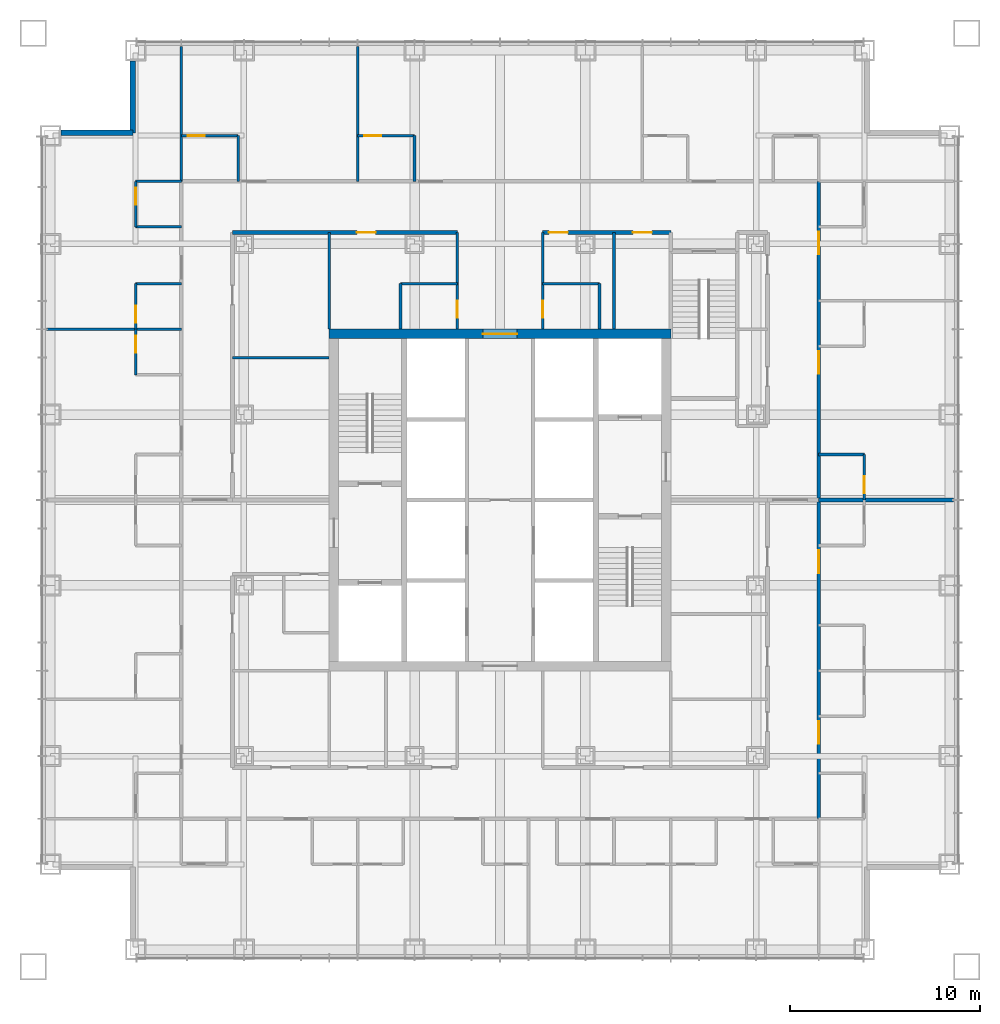
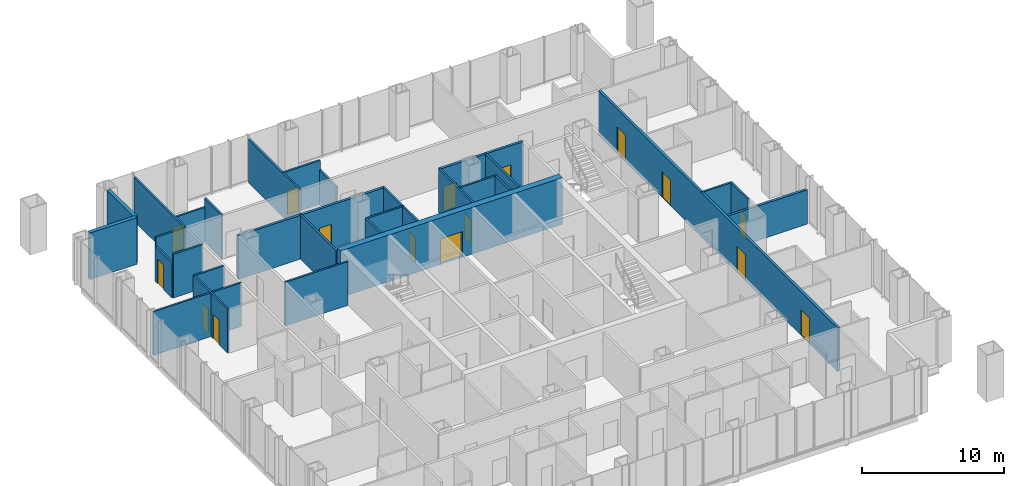
# One storey, part 10 of 12: 31 walls, 16 doors, 16 openings.
"""IFC4 building model written with IfcOpenShell, lengths in metres."""

from ifc_helpers import new_model, si_unit, direction, frame, frame_2d, origin, place, context, subcontext, project, spatial, rectangle, extrude, material, layer, layer_set, type_object, element, fill, save


model = new_model("IFC4")

# Units and contexts
model_context = context("Model", 3, precision=1e-05, world=origin(), true_north=direction((0.0, 1.0)))
body_context = subcontext(model_context, "Body", "Model", "MODEL_VIEW")
ifc_project = project(units=[si_unit("LENGTHUNIT", "METRE"), si_unit("AREAUNIT", "SQUARE_METRE"), si_unit("VOLUMEUNIT", "CUBIC_METRE"), si_unit("PLANEANGLEUNIT", "RADIAN"), si_unit("MASSUNIT", "GRAM", prefix="KILO")], contexts=[model_context])

# Site, building, storey
site_placement = place(None, origin())
site = spatial("IfcSite", under=ifc_project, at=site_placement, CompositionType="ELEMENT")
building_placement = place(site_placement, origin())
building = spatial("IfcBuilding", under=site, at=building_placement, Name="Malebo Sky Hospital", CompositionType="ELEMENT")
storey_placement = place(building_placement, frame((0.0, 0.0, 136.0)))
storey = spatial("IfcBuildingStorey", under=building, at=storey_placement, Name="L32", CompositionType="ELEMENT", Elevation=136.0)

# Wall, opening, door
ifc_material_1 = material(Name="Concrete C80/95", Category="concrete")
ifc_layer_1 = layer(ifc_material_1, 0.5)
ifc_layer_set_1 = layer_set([ifc_layer_1], Name="CORE WALL 500")
wall_type_1 = type_object("IfcWallType", Name="CORE WALL 500", PredefinedType="SHEAR", material=ifc_layer_set_1)
wall_1_placement = place(storey_placement, frame((51.0, 70.75, 0.0), z_axis=(0.0, 0.0, 1.0), x_axis=(1.0, 0.0, 0.0)))
wall_1 = element("IfcWall", 1, at=wall_1_placement, inside=storey, type_object=wall_type_1, Name="Core wall N L32", PredefinedType="SHEAR", context=body_context, shape_type="SweptSolid", body=[
    extrude(rectangle(XDim=18.0, YDim=0.5, at=frame_2d((9.0, 0.0))), origin(), (0.0, 0.0, 1.0), 4.0),
])
opening_1_placement = place(wall_1_placement, frame((8.10009765625, 0.0, 0.0)))
opening_1 = element("IfcOpeningElement", 2, at=opening_1_placement, cuts=wall_1, Name="Opening D06", PredefinedType="OPENING", context=body_context, shape_type="SweptSolid", body=[
    extrude(rectangle(XDim=1.800048828125, YDim=2.199951171875, at=frame_2d((0.89990234375, 1.10009765625))), frame((0.0, 0.260009765625, 0.0), z_axis=(0.0, -1.0, 0.0), x_axis=(1.0, 0.0, 0.0)), (0.0, 0.0, 1.0), 0.52001953125),
])
ifc_material_2 = material(Name="Hardwood-faced door leaf in steel frame", Category="steel")
door_type_1 = type_object("IfcDoorType", Name="LOBBY DOOR PAIR 1800", OperationType="DOUBLE_DOOR_SINGLE_SWING", PredefinedType="DOOR", material=ifc_material_2)
door_1_placement = place(opening_1_placement, origin())
door_1 = element("IfcDoor", 3, at=door_1_placement, inside=storey, type_object=door_type_1, Name="linen store door north", OperationType="DOUBLE_DOOR_SINGLE_SWING", OverallHeight=2.199951171875, OverallWidth=1.800048828125, PredefinedType="DOOR", context=body_context, shape_type="SweptSolid", body=[
    extrude(rectangle(XDim=1.800048828125, YDim=2.199951171875, at=frame_2d((0.89990234375, 1.10009765625))), frame((0.0, 0.02490234375, 0.0), z_axis=(0.0, -1.0, 0.0), x_axis=(1.0, 0.0, 0.0)), (0.0, 0.0, 1.0), 0.050048828125),
])
fill(opening_1, door_1)

ifc_material_3 = material(Name="Gypsum board on steel studs", Category="steel")
ifc_layer_2 = layer(ifc_material_3, 0.199951171875)
ifc_layer_set_2 = layer_set([ifc_layer_2], Name="CORRIDOR WALL 200")
wall_type_2 = type_object("IfcWallType", Name="CORRIDOR WALL 200", PredefinedType="PARTITIONING", material=ifc_layer_set_2)
wall_2_placement = place(storey_placement, frame((45.89990234375, 76.10009765625, 0.0), z_axis=(0.0, 0.0, 1.0), x_axis=(1.0, 0.0, 0.0)))
wall_2 = element("IfcWall", 4, at=wall_2_placement, inside=storey, type_object=wall_type_2, Name="Corridor Wall 200 NCI1", PredefinedType="PARTITIONING", context=body_context, shape_type="SweptSolid", body=[
    extrude(rectangle(XDim=11.85009765625, YDim=0.199951171875, at=frame_2d((5.925048828125, 0.0))), origin(), (0.0, 0.0, 1.0), 3.75),
])
opening_2_placement = place(wall_2_placement, frame((6.550048828125, 0.0, 0.0)))
opening_2 = element("IfcOpeningElement", 5, at=opening_2_placement, cuts=wall_2, Name="Opening D03", PredefinedType="OPENING", context=body_context, shape_type="SweptSolid", body=[
    extrude(rectangle(XDim=1.0, YDim=2.10009765625, at=frame_2d((0.5, 1.050048828125))), frame((0.0, 0.10986328125, 0.0), z_axis=(0.0, -1.0, 0.0), x_axis=(1.0, 0.0, 0.0)), (0.0, 0.0, 1.0), 0.219970703125),
])
door_type_2 = type_object("IfcDoorType", Name="ROOM DOOR 1000", OperationType="SINGLE_SWING_LEFT", PredefinedType="DOOR", material=ifc_material_2)
door_2_placement = place(opening_2_placement, origin())
door_2 = element("IfcDoor", 6, at=door_2_placement, inside=storey, type_object=door_type_2, Name="Dialysis store door", OperationType="SINGLE_SWING_LEFT", OverallHeight=2.10009765625, OverallWidth=1.0, PredefinedType="DOOR", context=body_context, shape_type="SweptSolid", body=[
    extrude(rectangle(XDim=1.0, YDim=2.10009765625, at=frame_2d((0.5, 1.050048828125))), frame((0.0, 0.02490234375, 0.0), z_axis=(0.0, -1.0, 0.0), x_axis=(1.0, 0.0, 0.0)), (0.0, 0.0, 1.0), 0.050048828125),
])
fill(opening_2, door_2)

# Wall, openings, doors
wall_3_placement = place(storey_placement, frame((62.25, 76.10009765625, 0.0), z_axis=(0.0, 0.0, 1.0), x_axis=(1.0, 0.0, 0.0)))
wall_3 = element("IfcWall", 7, at=wall_3_placement, inside=storey, type_object=wall_type_2, Name="Corridor Wall 200 NCI2", PredefinedType="PARTITIONING", context=body_context, shape_type="SweptSolid", body=[
    extrude(rectangle(XDim=6.75, YDim=0.199951171875, at=frame_2d((3.375, 0.0))), origin(), (0.0, 0.0, 1.0), 3.75),
])
opening_3_placement = place(wall_3_placement, frame((0.324951171875, 0.0, 0.0)))
opening_3 = element("IfcOpeningElement", 8, at=opening_3_placement, cuts=wall_3, Name="Opening D03", PredefinedType="OPENING", context=body_context, shape_type="SweptSolid", body=[
    extrude(rectangle(XDim=1.0, YDim=2.10009765625, at=frame_2d((0.5, 1.050048828125))), frame((0.0, 0.10986328125, 0.0), z_axis=(0.0, -1.0, 0.0), x_axis=(1.0, 0.0, 0.0)), (0.0, 0.0, 1.0), 0.219970703125),
])
opening_4_placement = place(wall_3_placement, frame((4.75, 0.0, 0.0)))
opening_4 = element("IfcOpeningElement", 9, at=opening_4_placement, cuts=wall_3, Name="Opening D03", PredefinedType="OPENING", context=body_context, shape_type="SweptSolid", body=[
    extrude(rectangle(XDim=1.0, YDim=2.10009765625, at=frame_2d((0.5, 1.050048828125))), frame((0.0, 0.10986328125, 0.0), z_axis=(0.0, -1.0, 0.0), x_axis=(1.0, 0.0, 0.0)), (0.0, 0.0, 1.0), 0.219970703125),
])
door_3_placement = place(opening_3_placement, origin())
door_3 = element("IfcDoor", 10, at=door_3_placement, inside=storey, type_object=door_type_2, Name="Linen store door", OperationType="SINGLE_SWING_LEFT", OverallHeight=2.10009765625, OverallWidth=1.0, PredefinedType="DOOR", context=body_context, shape_type="SweptSolid", body=[
    extrude(rectangle(XDim=1.0, YDim=2.10009765625, at=frame_2d((0.5, 1.050048828125))), frame((0.0, 0.02490234375, 0.0), z_axis=(0.0, -1.0, 0.0), x_axis=(1.0, 0.0, 0.0)), (0.0, 0.0, 1.0), 0.050048828125),
])
fill(opening_3, door_3)
door_4_placement = place(opening_4_placement, origin())
door_4 = element("IfcDoor", 11, at=door_4_placement, inside=storey, type_object=door_type_2, Name="Equipment store door", OperationType="SINGLE_SWING_RIGHT", OverallHeight=2.10009765625, OverallWidth=1.0, PredefinedType="DOOR", context=body_context, shape_type="SweptSolid", body=[
    extrude(rectangle(XDim=1.0, YDim=2.10009765625, at=frame_2d((0.5, 1.050048828125))), frame((0.0, 0.02490234375, 0.0), z_axis=(0.0, -1.0, 0.0), x_axis=(1.0, 0.0, 0.0)), (0.0, 0.0, 1.0), 0.050048828125),
])
fill(opening_4, door_4)

wall_4_placement = place(storey_placement, frame((76.800048828125, 78.800048828125, 0.0), z_axis=(0.0, 0.0, 1.0), x_axis=(0.0, -1.0, 0.0)))
wall_4 = element("IfcWall", 12, at=wall_4_placement, inside=storey, type_object=wall_type_2, Name="Corridor Wall 200 ECO", PredefinedType="PARTITIONING", context=body_context, shape_type="SweptSolid", body=[
    extrude(rectangle(XDim=33.60009765625, YDim=0.199951171875, at=frame_2d((16.800048828125, 0.0))), origin(), (0.0, 0.0, 1.0), 3.75),
])
opening_5_placement = place(wall_4_placement, frame((2.64990234375, 0.0, 0.0)))
opening_5 = element("IfcOpeningElement", 13, at=opening_5_placement, cuts=wall_4, Name="Opening D01", PredefinedType="OPENING", context=body_context, shape_type="SweptSolid", body=[
    extrude(rectangle(XDim=1.199951171875, YDim=2.199951171875, at=frame_2d((0.60009765625, 1.10009765625))), frame((0.0, 0.10986328125, 0.0), z_axis=(0.0, -1.0, 0.0), x_axis=(1.0, 0.0, 0.0)), (0.0, 0.0, 1.0), 0.219970703125),
])
opening_6_placement = place(wall_4_placement, frame((8.949951171875, 0.0, 0.0)))
opening_6 = element("IfcOpeningElement", 14, at=opening_6_placement, cuts=wall_4, Name="Opening D01", PredefinedType="OPENING", context=body_context, shape_type="SweptSolid", body=[
    extrude(rectangle(XDim=1.199951171875, YDim=2.199951171875, at=frame_2d((0.60009765625, 1.10009765625))), frame((0.0, 0.10986328125, 0.0), z_axis=(0.0, -1.0, 0.0), x_axis=(1.0, 0.0, 0.0)), (0.0, 0.0, 1.0), 0.219970703125),
])
opening_7_placement = place(wall_4_placement, frame((19.449951171875, 0.0, 0.0)))
opening_7 = element("IfcOpeningElement", 15, at=opening_7_placement, cuts=wall_4, Name="Opening D01", PredefinedType="OPENING", context=body_context, shape_type="SweptSolid", body=[
    extrude(rectangle(XDim=1.199951171875, YDim=2.199951171875, at=frame_2d((0.60009765625, 1.10009765625))), frame((0.0, 0.10986328125, 0.0), z_axis=(0.0, -1.0, 0.0), x_axis=(1.0, 0.0, 0.0)), (0.0, 0.0, 1.0), 0.219970703125),
])
opening_8_placement = place(wall_4_placement, frame((28.449951171875, 0.0, 0.0)))
opening_8 = element("IfcOpeningElement", 16, at=opening_8_placement, cuts=wall_4, Name="Opening D01", PredefinedType="OPENING", context=body_context, shape_type="SweptSolid", body=[
    extrude(rectangle(XDim=1.199951171875, YDim=2.199951171875, at=frame_2d((0.60009765625, 1.10009765625))), frame((0.0, 0.10986328125, 0.0), z_axis=(0.0, -1.0, 0.0), x_axis=(1.0, 0.0, 0.0)), (0.0, 0.0, 1.0), 0.219970703125),
])
door_type_3 = type_object("IfcDoorType", Name="BED DOOR 1200", OperationType="SINGLE_SWING_LEFT", PredefinedType="DOOR", material=ifc_material_2)
door_5_placement = place(opening_5_placement, origin())
door_5 = element("IfcDoor", 17, at=door_5_placement, inside=storey, type_object=door_type_3, Name="Single bed room door", OperationType="SINGLE_SWING_LEFT", OverallHeight=2.199951171875, OverallWidth=1.199951171875, PredefinedType="DOOR", context=body_context, shape_type="SweptSolid", body=[
    extrude(rectangle(XDim=1.199951171875, YDim=2.199951171875, at=frame_2d((0.60009765625, 1.10009765625))), frame((0.0, 0.02490234375, 0.0), z_axis=(0.0, -1.0, 0.0), x_axis=(1.0, 0.0, 0.0)), (0.0, 0.0, 1.0), 0.050048828125),
])
fill(opening_5, door_5)
door_6_placement = place(opening_6_placement, origin())
door_6 = element("IfcDoor", 18, at=door_6_placement, inside=storey, type_object=door_type_3, Name="Four-bed bay door", OperationType="SINGLE_SWING_LEFT", OverallHeight=2.199951171875, OverallWidth=1.199951171875, PredefinedType="DOOR", context=body_context, shape_type="SweptSolid", body=[
    extrude(rectangle(XDim=1.199951171875, YDim=2.199951171875, at=frame_2d((0.60009765625, 1.10009765625))), frame((0.0, 0.02490234375, 0.0), z_axis=(0.0, -1.0, 0.0), x_axis=(1.0, 0.0, 0.0)), (0.0, 0.0, 1.0), 0.050048828125),
])
fill(opening_6, door_6)
door_7_placement = place(opening_7_placement, origin())
door_7 = element("IfcDoor", 19, at=door_7_placement, inside=storey, type_object=door_type_3, Name="Four-bed bay door", OperationType="SINGLE_SWING_LEFT", OverallHeight=2.199951171875, OverallWidth=1.199951171875, PredefinedType="DOOR", context=body_context, shape_type="SweptSolid", body=[
    extrude(rectangle(XDim=1.199951171875, YDim=2.199951171875, at=frame_2d((0.60009765625, 1.10009765625))), frame((0.0, 0.02490234375, 0.0), z_axis=(0.0, -1.0, 0.0), x_axis=(1.0, 0.0, 0.0)), (0.0, 0.0, 1.0), 0.050048828125),
])
fill(opening_7, door_7)
door_8_placement = place(opening_8_placement, origin())
door_8 = element("IfcDoor", 20, at=door_8_placement, inside=storey, type_object=door_type_3, Name="Four-bed bay door", OperationType="SINGLE_SWING_LEFT", OverallHeight=2.199951171875, OverallWidth=1.199951171875, PredefinedType="DOOR", context=body_context, shape_type="SweptSolid", body=[
    extrude(rectangle(XDim=1.199951171875, YDim=2.199951171875, at=frame_2d((0.60009765625, 1.10009765625))), frame((0.0, 0.02490234375, 0.0), z_axis=(0.0, -1.0, 0.0), x_axis=(1.0, 0.0, 0.0)), (0.0, 0.0, 1.0), 0.050048828125),
])
fill(opening_8, door_8)

# Walls
ifc_material_4 = material(Name="Anodised aluminium rainscreen on steel framing", Category="steel")
ifc_layer_3 = layer(ifc_material_4, 0.300048828125)
ifc_layer_set_3 = layer_set([ifc_layer_3], Name="NOTCH RAINSCREEN WALL 300")
wall_type_3 = type_object("IfcWallType", Name="NOTCH RAINSCREEN WALL 300", PredefinedType="ELEMENTEDWALL", material=ifc_layer_set_3)
for number, where, z_axis, x_axis, name in (
    (21, (36.85009765625, 81.35009765625, 0.0), (0.0, 0.0, 1.0), (1.0, 0.0, 0.0), "Notch rainscreen wall W1 L32"),
    (22, (40.64990234375, 81.35009765625, 0.0), (0.0, 0.0, 1.0), (0.0, 1.0, 0.0), "Notch rainscreen wall W2 L32"),
):
    element("IfcWall", number, at=place(storey_placement, frame(where, z_axis=z_axis, x_axis=x_axis)), inside=storey, type_object=wall_type_3, Name=name, PredefinedType="ELEMENTEDWALL", context=body_context, shape_type="SweptSolid", body=[
        extrude(rectangle(XDim=3.7998046875, YDim=0.300048828125, at=frame_2d((1.89990234375, 0.0))), origin(), (0.0, 0.0, 1.0), 4.0),
    ])
ifc_layer_4 = layer(ifc_material_3, 0.14990234375)
ifc_layer_set_4 = layer_set([ifc_layer_4], Name="PARTITION 150")
wall_type_4 = type_object("IfcWallType", Name="PARTITION 150", PredefinedType="PARTITIONING", material=ifc_layer_set_4)
for number, where, z_axis, x_axis, name in (
    (23, (52.5, 78.800048828125, 0.0), (0.0, 0.0, 1.0), (0.0, 1.0, 0.0), "Partition 150 NP-7.5"),
    (24, (43.199951171875, 78.800048828125, 0.0), (0.0, 0.0, 1.0), (0.0, 1.0, 0.0), "Partition 150 NP0"),
):
    element("IfcWall", number, at=place(storey_placement, frame(where, z_axis=z_axis, x_axis=x_axis)), inside=storey, type_object=wall_type_4, Name=name, PredefinedType="PARTITIONING", context=body_context, shape_type="SweptSolid", body=[
        extrude(rectangle(XDim=7.10986328125, YDim=0.14990234375, at=frame_2d((3.554931640625, 0.0))), origin(), (0.0, 0.0, 1.0), 3.75),
    ])

# Wall, opening, door
wall_5_placement = place(storey_placement, frame((43.199951171875, 81.199951171875, 0.0), z_axis=(0.0, 0.0, 1.0), x_axis=(1.0, 0.0, 0.0)))
wall_5 = element("IfcWall", 25, at=wall_5_placement, inside=storey, type_object=wall_type_4, Name="Partition 150 NE0F", PredefinedType="PARTITIONING", context=body_context, shape_type="SweptSolid", body=[
    extrude(rectangle(XDim=3.0, YDim=0.14990234375, at=frame_2d((1.5, 0.0))), origin(), (0.0, 0.0, 1.0), 2.9970703125),
])
opening_9_placement = place(wall_5_placement, frame((0.35009765625, 0.0, 0.0)))
opening_9 = element("IfcOpeningElement", 26, at=opening_9_placement, cuts=wall_5, Name="Opening D02", PredefinedType="OPENING", context=body_context, shape_type="SweptSolid", body=[
    extrude(rectangle(XDim=0.89990234375, YDim=2.10009765625, at=frame_2d((0.449951171875, 1.050048828125))), frame((0.0, 0.0849609375, 0.0), z_axis=(0.0, -1.0, 0.0), x_axis=(1.0, 0.0, 0.0)), (0.0, 0.0, 1.0), 0.169921875),
])
door_type_4 = type_object("IfcDoorType", Name="EN-SUITE DOOR 900", OperationType="SINGLE_SWING_LEFT", PredefinedType="DOOR", material=ifc_material_2)
door_9_placement = place(opening_9_placement, origin())
door_9 = element("IfcDoor", 27, at=door_9_placement, inside=storey, type_object=door_type_4, Name="Patient WC door", OperationType="SINGLE_SWING_LEFT", OverallHeight=2.10009765625, OverallWidth=0.89990234375, PredefinedType="DOOR", context=body_context, shape_type="SweptSolid", body=[
    extrude(rectangle(XDim=0.89990234375, YDim=2.10009765625, at=frame_2d((0.449951171875, 1.050048828125))), frame((0.0, 0.02490234375, 0.0), z_axis=(0.0, -1.0, 0.0), x_axis=(1.0, 0.0, 0.0)), (0.0, 0.0, 1.0), 0.050048828125),
])
fill(opening_9, door_9)

# Wall
wall_6_placement = place(storey_placement, frame((46.199951171875, 78.800048828125, 0.0), z_axis=(0.0, 0.0, 1.0), x_axis=(0.0, 1.0, 0.0)))
element("IfcWall", 28, at=wall_6_placement, inside=storey, type_object=wall_type_4, Name="Partition 150 NE0S", PredefinedType="PARTITIONING", context=body_context, shape_type="SweptSolid", body=[
    extrude(rectangle(XDim=2.39990234375, YDim=0.14990234375, at=frame_2d((1.199951171875, 0.0))), origin(), (0.0, 0.0, 1.0), 3.75),
])

# Wall, opening, door
wall_7_placement = place(storey_placement, frame((52.5, 81.199951171875, 0.0), z_axis=(0.0, 0.0, 1.0), x_axis=(1.0, 0.0, 0.0)))
wall_7 = element("IfcWall", 29, at=wall_7_placement, inside=storey, type_object=wall_type_4, Name="Partition 150 NE1F", PredefinedType="PARTITIONING", context=body_context, shape_type="SweptSolid", body=[
    extrude(rectangle(XDim=3.0, YDim=0.14990234375, at=frame_2d((1.5, 0.0))), origin(), (0.0, 0.0, 1.0), 3.75),
])
opening_10_placement = place(wall_7_placement, frame((0.35009765625, 0.0, 0.0)))
opening_10 = element("IfcOpeningElement", 30, at=opening_10_placement, cuts=wall_7, Name="Opening D02", PredefinedType="OPENING", context=body_context, shape_type="SweptSolid", body=[
    extrude(rectangle(XDim=0.89990234375, YDim=2.10009765625, at=frame_2d((0.449951171875, 1.050048828125))), frame((0.0, 0.0849609375, 0.0), z_axis=(0.0, -1.0, 0.0), x_axis=(1.0, 0.0, 0.0)), (0.0, 0.0, 1.0), 0.169921875),
])
door_10_placement = place(opening_10_placement, origin())
door_10 = element("IfcDoor", 31, at=door_10_placement, inside=storey, type_object=door_type_4, Name="Patient WC door", OperationType="SINGLE_SWING_LEFT", OverallHeight=2.10009765625, OverallWidth=0.89990234375, PredefinedType="DOOR", context=body_context, shape_type="SweptSolid", body=[
    extrude(rectangle(XDim=0.89990234375, YDim=2.10009765625, at=frame_2d((0.449951171875, 1.050048828125))), frame((0.0, 0.02490234375, 0.0), z_axis=(0.0, -1.0, 0.0), x_axis=(1.0, 0.0, 0.0)), (0.0, 0.0, 1.0), 0.050048828125),
])
fill(opening_10, door_10)

# Walls
wall_8_placement = place(storey_placement, frame((55.5, 78.800048828125, 0.0), z_axis=(0.0, 0.0, 1.0), x_axis=(0.0, 1.0, 0.0)))
element("IfcWall", 32, at=wall_8_placement, inside=storey, type_object=wall_type_4, Name="Partition 150 NE1S", PredefinedType="PARTITIONING", context=body_context, shape_type="SweptSolid", body=[
    extrude(rectangle(XDim=2.39990234375, YDim=0.14990234375, at=frame_2d((1.199951171875, 0.0))), origin(), (0.0, 0.0, 1.0), 2.949951171875),
])
wall_9_placement = place(storey_placement, frame((51.0, 71.0, 0.0), z_axis=(0.0, 0.0, 1.0), x_axis=(0.0, 1.0, 0.0)))
element("IfcWall", 33, at=wall_9_placement, inside=storey, type_object=wall_type_4, Name="Partition 150 NSP0", PredefinedType="PARTITIONING", context=body_context, shape_type="SweptSolid", body=[
    extrude(rectangle(XDim=5.10009765625, YDim=0.14990234375, at=frame_2d((2.550048828125, 0.0))), origin(), (0.0, 0.0, 1.0), 3.75),
])

# Wall, opening, door
wall_10_placement = place(storey_placement, frame((57.75, 71.0, 0.0), z_axis=(0.0, 0.0, 1.0), x_axis=(0.0, 1.0, 0.0)))
wall_10 = element("IfcWall", 34, at=wall_10_placement, inside=storey, type_object=wall_type_4, Name="Partition 150 NSPA", PredefinedType="PARTITIONING", context=body_context, shape_type="SweptSolid", body=[
    extrude(rectangle(XDim=5.10009765625, YDim=0.14990234375, at=frame_2d((2.550048828125, 0.0))), origin(), (0.0, 0.0, 1.0), 3.75),
])
opening_11_placement = place(wall_10_placement, frame((0.60009765625, 0.0, 0.0)))
opening_11 = element("IfcOpeningElement", 35, at=opening_11_placement, cuts=wall_10, Name="Opening D04", PredefinedType="OPENING", context=body_context, shape_type="SweptSolid", body=[
    extrude(rectangle(XDim=0.89990234375, YDim=2.10009765625, at=frame_2d((0.449951171875, 1.050048828125))), frame((0.0, 0.0849609375, 0.0), z_axis=(0.0, -1.0, 0.0), x_axis=(1.0, 0.0, 0.0)), (0.0, 0.0, 1.0), 0.169921875),
])
door_type_5 = type_object("IfcDoorType", Name="ROOM DOOR 900", OperationType="SINGLE_SWING_LEFT", PredefinedType="DOOR", material=ifc_material_2)
door_11_placement = place(opening_11_placement, origin())
door_11 = element("IfcDoor", 36, at=door_11_placement, inside=storey, type_object=door_type_5, Name="Staff WC door", OperationType="SINGLE_SWING_LEFT", OverallHeight=2.10009765625, OverallWidth=0.89990234375, PredefinedType="DOOR", context=body_context, shape_type="SweptSolid", body=[
    extrude(rectangle(XDim=0.89990234375, YDim=2.10009765625, at=frame_2d((0.449951171875, 1.050048828125))), frame((0.0, 0.02490234375, 0.0), z_axis=(0.0, -1.0, 0.0), x_axis=(1.0, 0.0, 0.0)), (0.0, 0.0, 1.0), 0.050048828125),
])
fill(opening_11, door_11)

wall_11_placement = place(storey_placement, frame((62.25, 71.0, 0.0), z_axis=(0.0, 0.0, 1.0), x_axis=(0.0, 1.0, 0.0)))
wall_11 = element("IfcWall", 37, at=wall_11_placement, inside=storey, type_object=wall_type_4, Name="Partition 150 NSPB", PredefinedType="PARTITIONING", context=body_context, shape_type="SweptSolid", body=[
    extrude(rectangle(XDim=5.10009765625, YDim=0.14990234375, at=frame_2d((2.550048828125, 0.0))), origin(), (0.0, 0.0, 1.0), 3.75),
])
opening_12_placement = place(wall_11_placement, frame((0.60009765625, 0.0, 0.0)))
opening_12 = element("IfcOpeningElement", 38, at=opening_12_placement, cuts=wall_11, Name="Opening D04", PredefinedType="OPENING", context=body_context, shape_type="SweptSolid", body=[
    extrude(rectangle(XDim=0.89990234375, YDim=2.10009765625, at=frame_2d((0.449951171875, 1.050048828125))), frame((0.0, 0.0849609375, 0.0), z_axis=(0.0, -1.0, 0.0), x_axis=(1.0, 0.0, 0.0)), (0.0, 0.0, 1.0), 0.169921875),
])
door_12_placement = place(opening_12_placement, origin())
door_12 = element("IfcDoor", 39, at=door_12_placement, inside=storey, type_object=door_type_5, Name="Accessible WC door", OperationType="SINGLE_SWING_LEFT", OverallHeight=2.10009765625, OverallWidth=0.89990234375, PredefinedType="DOOR", context=body_context, shape_type="SweptSolid", body=[
    extrude(rectangle(XDim=0.89990234375, YDim=2.10009765625, at=frame_2d((0.449951171875, 1.050048828125))), frame((0.0, 0.02490234375, 0.0), z_axis=(0.0, -1.0, 0.0), x_axis=(1.0, 0.0, 0.0)), (0.0, 0.0, 1.0), 0.050048828125),
])
fill(opening_12, door_12)

# Walls
wall_12_placement = place(storey_placement, frame((66.0, 71.0, 0.0), z_axis=(0.0, 0.0, 1.0), x_axis=(0.0, 1.0, 0.0)))
element("IfcWall", 40, at=wall_12_placement, inside=storey, type_object=wall_type_4, Name="Partition 150 NSP+6.0", PredefinedType="PARTITIONING", context=body_context, shape_type="SweptSolid", body=[
    extrude(rectangle(XDim=5.10009765625, YDim=0.14990234375, at=frame_2d((2.550048828125, 0.0))), origin(), (0.0, 0.0, 1.0), 3.75),
])
wall_13_placement = place(storey_placement, frame((54.75, 73.39990234375, 0.0), z_axis=(0.0, 0.0, 1.0), x_axis=(1.0, 0.0, 0.0)))
element("IfcWall", 41, at=wall_13_placement, inside=storey, type_object=wall_type_4, Name="Partition 150 NSX0", PredefinedType="PARTITIONING", context=body_context, shape_type="SweptSolid", body=[
    extrude(rectangle(XDim=3.0, YDim=0.14990234375, at=frame_2d((1.5, 0.0))), origin(), (0.0, 0.0, 1.0), 3.75),
])
wall_14_placement = place(storey_placement, frame((54.75, 71.0, 0.0), z_axis=(0.0, 0.0, 1.0), x_axis=(0.0, 1.0, 0.0)))
element("IfcWall", 42, at=wall_14_placement, inside=storey, type_object=wall_type_4, Name="Partition 150 NSY0", PredefinedType="PARTITIONING", context=body_context, shape_type="SweptSolid", body=[
    extrude(rectangle(XDim=2.39990234375, YDim=0.14990234375, at=frame_2d((1.199951171875, 0.0))), origin(), (0.0, 0.0, 1.0), 3.75),
])
wall_15_placement = place(storey_placement, frame((62.25, 73.39990234375, 0.0), z_axis=(0.0, 0.0, 1.0), x_axis=(1.0, 0.0, 0.0)))
element("IfcWall", 43, at=wall_15_placement, inside=storey, type_object=wall_type_4, Name="Partition 150 NSX1", PredefinedType="PARTITIONING", context=body_context, shape_type="SweptSolid", body=[
    extrude(rectangle(XDim=3.0, YDim=0.14990234375, at=frame_2d((1.5, 0.0))), origin(), (0.0, 0.0, 1.0), 3.75),
])
wall_16_placement = place(storey_placement, frame((65.25, 71.0, 0.0), z_axis=(0.0, 0.0, 1.0), x_axis=(0.0, 1.0, 0.0)))
element("IfcWall", 44, at=wall_16_placement, inside=storey, type_object=wall_type_4, Name="Partition 150 NSY1", PredefinedType="PARTITIONING", context=body_context, shape_type="SweptSolid", body=[
    extrude(rectangle(XDim=2.39990234375, YDim=0.14990234375, at=frame_2d((1.199951171875, 0.0))), origin(), (0.0, 0.0, 1.0), 3.75),
])
wall_17_placement = place(storey_placement, frame((43.199951171875, 71.0, 0.0), z_axis=(0.0, 0.0, 1.0), x_axis=(-1.0, 0.0, 0.0)))
element("IfcWall", 45, at=wall_17_placement, inside=storey, type_object=wall_type_4, Name="Partition 150 WP+9.0", PredefinedType="PARTITIONING", context=body_context, shape_type="SweptSolid", body=[
    extrude(rectangle(XDim=7.10986328125, YDim=0.14990234375, at=frame_2d((3.554931640625, 0.0))), origin(), (0.0, 0.0, 1.0), 3.75),
])

# Wall, opening, door
wall_18_placement = place(storey_placement, frame((40.800048828125, 68.60009765625, 0.0), z_axis=(0.0, 0.0, 1.0), x_axis=(0.0, 1.0, 0.0)))
wall_18 = element("IfcWall", 46, at=wall_18_placement, inside=storey, type_object=wall_type_4, Name="Partition 150 WG2F", PredefinedType="PARTITIONING", context=body_context, shape_type="SweptSolid", body=[
    extrude(rectangle(XDim=2.39990234375, YDim=0.14990234375, at=frame_2d((1.199951171875, 0.0))), origin(), (0.0, 0.0, 1.0), 3.75),
])
opening_13_placement = place(wall_18_placement, frame((1.14990234375, 0.0, 0.0)))
opening_13 = element("IfcOpeningElement", 47, at=opening_13_placement, cuts=wall_18, Name="Opening D02", PredefinedType="OPENING", context=body_context, shape_type="SweptSolid", body=[
    extrude(rectangle(XDim=0.89990234375, YDim=2.10009765625, at=frame_2d((0.449951171875, 1.050048828125))), frame((0.0, 0.0849609375, 0.0), z_axis=(0.0, -1.0, 0.0), x_axis=(1.0, 0.0, 0.0)), (0.0, 0.0, 1.0), 0.169921875),
])
door_13_placement = place(opening_13_placement, origin())
door_13 = element("IfcDoor", 48, at=door_13_placement, inside=storey, type_object=door_type_4, Name="En-suite door", OperationType="SINGLE_SWING_RIGHT", OverallHeight=2.10009765625, OverallWidth=0.89990234375, PredefinedType="DOOR", context=body_context, shape_type="SweptSolid", body=[
    extrude(rectangle(XDim=0.89990234375, YDim=2.10009765625, at=frame_2d((0.449951171875, 1.050048828125))), frame((0.0, 0.02490234375, 0.0), z_axis=(0.0, -1.0, 0.0), x_axis=(1.0, 0.0, 0.0)), (0.0, 0.0, 1.0), 0.050048828125),
])
fill(opening_13, door_13)

wall_19_placement = place(storey_placement, frame((40.800048828125, 71.0, 0.0), z_axis=(0.0, 0.0, 1.0), x_axis=(0.0, 1.0, 0.0)))
wall_19 = element("IfcWall", 49, at=wall_19_placement, inside=storey, type_object=wall_type_4, Name="Partition 150 WE3F", PredefinedType="PARTITIONING", context=body_context, shape_type="SweptSolid", body=[
    extrude(rectangle(XDim=2.39990234375, YDim=0.14990234375, at=frame_2d((1.199951171875, 0.0))), origin(), (0.0, 0.0, 1.0), 3.75),
])
opening_14_placement = place(wall_19_placement, frame((0.35009765625, 0.0, 0.0)))
opening_14 = element("IfcOpeningElement", 50, at=opening_14_placement, cuts=wall_19, Name="Opening D02", PredefinedType="OPENING", context=body_context, shape_type="SweptSolid", body=[
    extrude(rectangle(XDim=0.89990234375, YDim=2.10009765625, at=frame_2d((0.449951171875, 1.050048828125))), frame((0.0, 0.0849609375, 0.0), z_axis=(0.0, -1.0, 0.0), x_axis=(1.0, 0.0, 0.0)), (0.0, 0.0, 1.0), 0.169921875),
])
door_14_placement = place(opening_14_placement, origin())
door_14 = element("IfcDoor", 51, at=door_14_placement, inside=storey, type_object=door_type_4, Name="En-suite door", OperationType="SINGLE_SWING_LEFT", OverallHeight=2.10009765625, OverallWidth=0.89990234375, PredefinedType="DOOR", context=body_context, shape_type="SweptSolid", body=[
    extrude(rectangle(XDim=0.89990234375, YDim=2.10009765625, at=frame_2d((0.449951171875, 1.050048828125))), frame((0.0, 0.02490234375, 0.0), z_axis=(0.0, -1.0, 0.0), x_axis=(1.0, 0.0, 0.0)), (0.0, 0.0, 1.0), 0.050048828125),
])
fill(opening_14, door_14)

# Wall
wall_20_placement = place(storey_placement, frame((43.199951171875, 73.39990234375, 0.0), z_axis=(0.0, 0.0, 1.0), x_axis=(-1.0, 0.0, 0.0)))
element("IfcWall", 52, at=wall_20_placement, inside=storey, type_object=wall_type_4, Name="Partition 150 WE3S", PredefinedType="PARTITIONING", context=body_context, shape_type="SweptSolid", body=[
    extrude(rectangle(XDim=2.39990234375, YDim=0.14990234375, at=frame_2d((1.199951171875, 0.0))), origin(), (0.0, 0.0, 1.0), 3.75),
])

# Wall, opening, door
wall_21_placement = place(storey_placement, frame((40.800048828125, 76.39990234375, 0.0), z_axis=(0.0, 0.0, 1.0), x_axis=(0.0, 1.0, 0.0)))
wall_21 = element("IfcWall", 53, at=wall_21_placement, inside=storey, type_object=wall_type_4, Name="Partition 150 WG3F", PredefinedType="PARTITIONING", context=body_context, shape_type="SweptSolid", body=[
    extrude(rectangle(XDim=2.400146484375, YDim=0.14990234375, at=frame_2d((1.2001953125, 0.0))), origin(), (0.0, 0.0, 1.0), 2.9970703125),
])
opening_15_placement = place(wall_21_placement, frame((1.14990234375, 0.0, 0.0)))
opening_15 = element("IfcOpeningElement", 54, at=opening_15_placement, cuts=wall_21, Name="Opening D02", PredefinedType="OPENING", context=body_context, shape_type="SweptSolid", body=[
    extrude(rectangle(XDim=0.89990234375, YDim=2.10009765625, at=frame_2d((0.449951171875, 1.050048828125))), frame((0.0, 0.0849609375, 0.0), z_axis=(0.0, -1.0, 0.0), x_axis=(1.0, 0.0, 0.0)), (0.0, 0.0, 1.0), 0.169921875),
])
door_15_placement = place(opening_15_placement, origin())
door_15 = element("IfcDoor", 55, at=door_15_placement, inside=storey, type_object=door_type_4, Name="En-suite door", OperationType="SINGLE_SWING_RIGHT", OverallHeight=2.10009765625, OverallWidth=0.89990234375, PredefinedType="DOOR", context=body_context, shape_type="SweptSolid", body=[
    extrude(rectangle(XDim=0.89990234375, YDim=2.10009765625, at=frame_2d((0.449951171875, 1.050048828125))), frame((0.0, 0.02490234375, 0.0), z_axis=(0.0, -1.0, 0.0), x_axis=(1.0, 0.0, 0.0)), (0.0, 0.0, 1.0), 0.050048828125),
])
fill(opening_15, door_15)

# Walls
for number, where, z_axis, x_axis, name in (
    (56, (43.199951171875, 76.39990234375, 0.0), (0.0, 0.0, 1.0), (-1.0, 0.0, 0.0), "Partition 150 WG3S"),
    (57, (43.199951171875, 78.800048828125, 0.0), (0.0, 0.0, 1.0), (-1.0, 0.0, 0.0), "Partition 150 WEZ"),
):
    element("IfcWall", number, at=place(storey_placement, frame(where, z_axis=z_axis, x_axis=x_axis)), inside=storey, type_object=wall_type_4, Name=name, PredefinedType="PARTITIONING", context=body_context, shape_type="SweptSolid", body=[
        extrude(rectangle(XDim=2.39990234375, YDim=0.14990234375, at=frame_2d((1.199951171875, 0.0))), origin(), (0.0, 0.0, 1.0), 3.75),
    ])
wall_22_placement = place(storey_placement, frame((51.0, 69.5, 0.0), z_axis=(0.0, 0.0, 1.0), x_axis=(-1.0, 0.0, 0.0)))
element("IfcWall", 58, at=wall_22_placement, inside=storey, type_object=wall_type_4, Name="Partition 150 WSP+7.5", PredefinedType="PARTITIONING", context=body_context, shape_type="SweptSolid", body=[
    extrude(rectangle(XDim=5.10009765625, YDim=0.14990234375, at=frame_2d((2.550048828125, 0.0))), origin(), (0.0, 0.0, 1.0), 3.75),
])

# Wall, opening, door
wall_23_placement = place(storey_placement, frame((79.199951171875, 64.39990234375, 0.0), z_axis=(0.0, 0.0, 1.0), x_axis=(0.0, -1.0, 0.0)))
wall_23 = element("IfcWall", 59, at=wall_23_placement, inside=storey, type_object=wall_type_4, Name="Partition 150 EG1F", PredefinedType="PARTITIONING", context=body_context, shape_type="SweptSolid", body=[
    extrude(rectangle(XDim=2.39990234375, YDim=0.14990234375, at=frame_2d((1.199951171875, 0.0))), origin(), (0.0, 0.0, 1.0), 3.75),
])
opening_16_placement = place(wall_23_placement, frame((1.14990234375, 0.0, 0.0)))
opening_16 = element("IfcOpeningElement", 60, at=opening_16_placement, cuts=wall_23, Name="Opening D02", PredefinedType="OPENING", context=body_context, shape_type="SweptSolid", body=[
    extrude(rectangle(XDim=0.89990234375, YDim=2.10009765625, at=frame_2d((0.449951171875, 1.050048828125))), frame((0.0, 0.0849609375, 0.0), z_axis=(0.0, -1.0, 0.0), x_axis=(1.0, 0.0, 0.0)), (0.0, 0.0, 1.0), 0.169921875),
])
door_16_placement = place(opening_16_placement, origin())
door_16 = element("IfcDoor", 61, at=door_16_placement, inside=storey, type_object=door_type_4, Name="En-suite door", OperationType="SINGLE_SWING_RIGHT", OverallHeight=2.10009765625, OverallWidth=0.89990234375, PredefinedType="DOOR", context=body_context, shape_type="SweptSolid", body=[
    extrude(rectangle(XDim=0.89990234375, YDim=2.10009765625, at=frame_2d((0.449951171875, 1.050048828125))), frame((0.0, 0.02490234375, 0.0), z_axis=(0.0, -1.0, 0.0), x_axis=(1.0, 0.0, 0.0)), (0.0, 0.0, 1.0), 0.050048828125),
])
fill(opening_16, door_16)

# Walls
wall_24_placement = place(storey_placement, frame((76.800048828125, 64.39990234375, 0.0), z_axis=(0.0, 0.0, 1.0), x_axis=(1.0, 0.0, 0.0)))
element("IfcWall", 62, at=wall_24_placement, inside=storey, type_object=wall_type_4, Name="Partition 150 EG1S", PredefinedType="PARTITIONING", context=body_context, shape_type="SweptSolid", body=[
    extrude(rectangle(XDim=2.39990234375, YDim=0.14990234375, at=frame_2d((1.199951171875, 0.0))), origin(), (0.0, 0.0, 1.0), 3.75),
])
ifc_material_5 = material(Name="Concrete blockwork", Category="masonry")
ifc_layer_5 = layer(ifc_material_5, 0.199951171875)
ifc_layer_set_5 = layer_set([ifc_layer_5], Name="SMOKE BARRIER WALL 200")
wall_type_5 = type_object("IfcWallType", Name="SMOKE BARRIER WALL 200", PredefinedType="SOLIDWALL", material=ifc_layer_set_5)
wall_25_placement = place(storey_placement, frame((76.800048828125, 62.0, 0.0), z_axis=(0.0, 0.0, 1.0), x_axis=(1.0, 0.0, 0.0)))
element("IfcWall", 63, at=wall_25_placement, inside=storey, type_object=wall_type_5, Name="Smoke Barrier Wall 200 EP+0.0", PredefinedType="SOLIDWALL", context=body_context, shape_type="SweptSolid", body=[
    extrude(rectangle(XDim=7.10986328125, YDim=0.199951171875, at=frame_2d((3.554931640625, 0.0))), origin(), (0.0, 0.0, 1.0), 2.949951171875),
])

save(model, "model.ifc")
